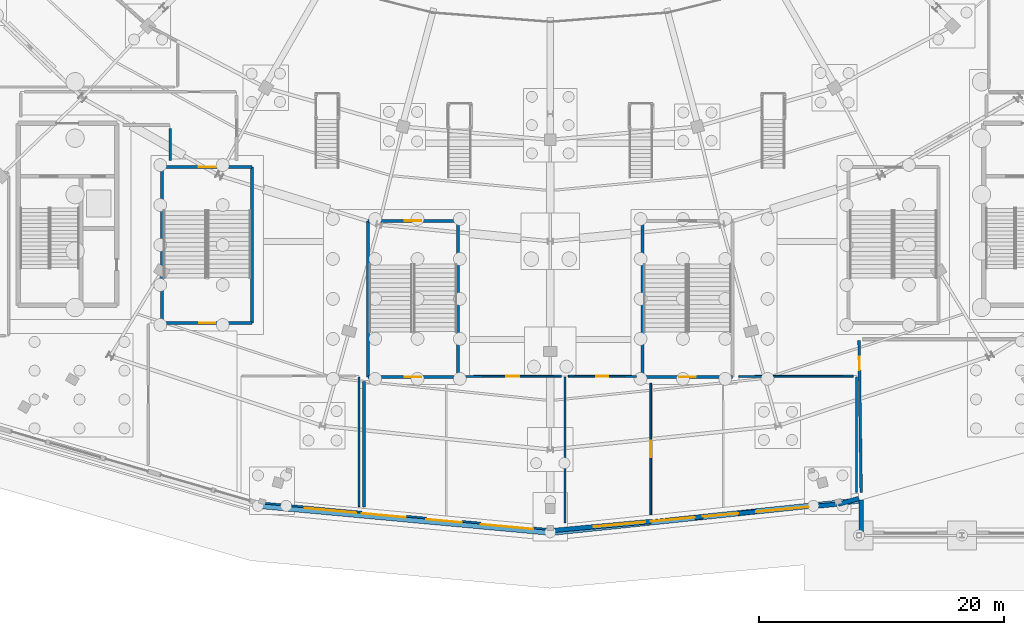
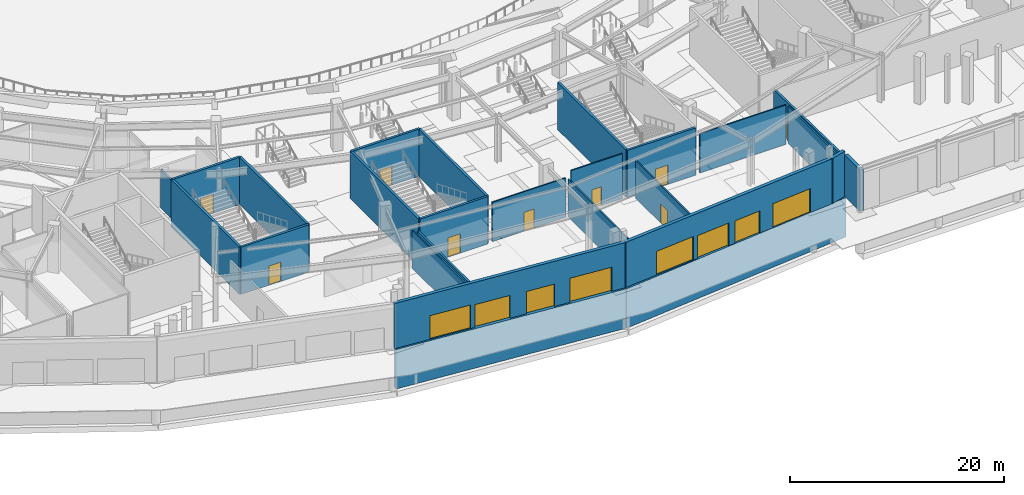
# One storey, part 54 of 93: 26 walls, 17 doors, 17 openings.
"""IFC4 building model written with IfcOpenShell, lengths in metres."""

from ifc_helpers import new_model, si_unit, direction, frame, frame_2d, origin, place, context, subcontext, project, spatial, rectangle, extrude, material, layer, layer_set, type_object, element, fill, save


model = new_model("IFC4")

# Units and contexts
model_context = context("Model", 3, precision=1e-05, world=origin(), true_north=direction((0.0, 1.0)))
body_context = subcontext(model_context, "Body", "Model", "MODEL_VIEW")
ifc_project = project(units=[si_unit("LENGTHUNIT", "METRE"), si_unit("AREAUNIT", "SQUARE_METRE"), si_unit("VOLUMEUNIT", "CUBIC_METRE"), si_unit("PLANEANGLEUNIT", "RADIAN"), si_unit("MASSUNIT", "GRAM", prefix="KILO")], contexts=[model_context])

# Site, building, storey
site_placement = place(None, origin())
site = spatial("IfcSite", under=ifc_project, at=site_placement, CompositionType="ELEMENT")
building_placement = place(site_placement, origin())
building = spatial("IfcBuilding", under=site, at=building_placement, Name="Kalgoora Escarpment Arena", CompositionType="ELEMENT")
storey_placement = place(building_placement, origin())
storey = spatial("IfcBuildingStorey", under=building, at=storey_placement, Name="L00", CompositionType="ELEMENT", Elevation=0.0)

# Walls
ifc_material_1 = material(Name="Cream limestone-faced precast concrete 40 MPa", Category="masonry")
ifc_layer_1 = layer(ifc_material_1, 0.360107421875)
ifc_layer_set_1 = layer_set([ifc_layer_1], Name="WAL-EXT-360")
wall_type_1 = type_object("IfcWallType", Name="WAL-EXT-360", PredefinedType="SOLIDWALL", material=ifc_layer_set_1)
wall_1_placement = place(storey_placement, frame((117.780029296875, -0.043212890625, 0.0), z_axis=(0.0, 0.0, 1.0), x_axis=(0.0, 1.0, 0.0)))
element("IfcWall", 1, at=wall_1_placement, inside=storey, type_object=wall_type_1, Name="L00 limestone-faced external wall 003", PredefinedType="SOLIDWALL", context=body_context, shape_type="SweptSolid", body=[
    extrude(rectangle(XDim=2.922607421875, YDim=0.360107421875, at=frame_2d((1.46142578125, 0.0))), origin(), (0.0, 0.0, 1.0), 4.718994140625),
])
wall_2_placement = place(storey_placement, frame((117.59130859375, 3.021240234375, 0.0), z_axis=(0.0, 0.0, 1.0), x_axis=(-0.960505332248, -0.278261579674, 0.0)))
element("IfcWall", 2, at=wall_2_placement, inside=storey, type_object=wall_type_1, Name="L00 limestone-faced external wall 004", PredefinedType="SOLIDWALL", context=body_context, shape_type="SweptSolid", body=[
    extrude(rectangle(XDim=1.747802734375, YDim=0.360107421875, at=frame_2d((0.8740234375, 0.0))), origin(), (0.0, 0.0, 1.0), 5.14990234375),
])

# Wall, openings, doors
wall_3_placement = place(storey_placement, frame((116.03076171875, 2.55712890625, 0.0), z_axis=(0.0, 0.0, 1.0), x_axis=(-0.995785515714, -0.09171263105, 0.0)))
wall_3 = element("IfcWall", 3, at=wall_3_placement, inside=storey, type_object=wall_type_1, Name="L00 limestone-faced external wall 005", PredefinedType="SOLIDWALL", context=body_context, shape_type="SweptSolid", body=[
    extrude(rectangle(XDim=23.79052734375, YDim=0.360107421875, at=frame_2d((11.895263671875, 0.0))), origin(), (0.0, 0.0, 1.0), 5.14990234375),
])
opening_1_placement = place(wall_3_placement, frame((8.31005859375, 0.0, 0.0)))
opening_1 = element("IfcOpeningElement", 4, at=opening_1_placement, cuts=wall_3, Name="Opening G10", PredefinedType="OPENING", context=body_context, shape_type="SweptSolid", body=[
    extrude(rectangle(XDim=2.89990234375, YDim=2.550048828125, at=frame_2d((1.449951171875, 1.27490234375))), frame((0.0, 0.18994140625, 0.0), z_axis=(0.0, -1.0, 0.0), x_axis=(1.0, 0.0, 0.0)), (0.0, 0.0, 1.0), 0.380126953125),
])
opening_2_placement = place(wall_3_placement, frame((11.89501953125, 0.0, 0.0)))
opening_2 = element("IfcOpeningElement", 5, at=opening_2_placement, cuts=wall_3, Name="Opening E3", PredefinedType="OPENING", context=body_context, shape_type="SweptSolid", body=[
    extrude(rectangle(XDim=3.60009765625, YDim=2.60009765625, at=frame_2d((1.800048828125, 1.300048828125))), frame((0.0, 0.18994140625, 0.0), z_axis=(0.0, -1.0, 0.0), x_axis=(1.0, 0.0, 0.0)), (0.0, 0.0, 1.0), 0.380126953125),
])
opening_3_placement = place(wall_3_placement, frame((2.5400390625, 0.0, 0.0)))
opening_3 = element("IfcOpeningElement", 6, at=opening_3_placement, cuts=wall_3, Name="Opening G18", PredefinedType="OPENING", context=body_context, shape_type="SweptSolid", body=[
    extrude(rectangle(XDim=4.300048828125, YDim=2.75, at=frame_2d((2.14990234375, 1.375))), frame((0.0, 0.18994140625, 0.0), z_axis=(0.0, -1.0, 0.0), x_axis=(1.0, 0.0, 0.0)), (0.0, 0.0, 1.0), 0.380126953125),
])
opening_4_placement = place(wall_3_placement, frame((15.9599609375, 0.0, 0.0)))
opening_4 = element("IfcOpeningElement", 7, at=opening_4_placement, cuts=wall_3, Name="Opening G19", PredefinedType="OPENING", context=body_context, shape_type="SweptSolid", body=[
    extrude(rectangle(XDim=4.199951171875, YDim=2.699951171875, at=frame_2d((2.10009765625, 1.35009765625))), frame((0.0, 0.18994140625, 0.0), z_axis=(0.0, -1.0, 0.0), x_axis=(1.0, 0.0, 0.0)), (0.0, 0.0, 1.0), 0.380126953125),
])
ifc_material_2 = material(Name="Champagne anodised aluminium acoustic egress leaf", Category="aluminium")
door_type_1 = type_object("IfcDoorType", Name="DR-EGEXIT-2750", OperationType="NOTDEFINED", PredefinedType="DOOR", material=ifc_material_2)
door_1_placement = place(opening_4_placement, origin())
door_1 = element("IfcDoor", 8, at=door_1_placement, inside=storey, type_object=door_type_1, Name="Final pedestrian exit door G19", OperationType="DOUBLE_DOOR_SINGLE_SWING", OverallHeight=2.699951171875, OverallWidth=4.199951171875, PredefinedType="DOOR", context=body_context, shape_type="SweptSolid", body=[
    extrude(rectangle(XDim=4.199951171875, YDim=2.699951171875, at=frame_2d((2.10009765625, 1.35009765625))), frame((0.0, 0.02490234375, 0.0), z_axis=(0.0, -1.0, 0.0), x_axis=(1.0, 0.0, 0.0)), (0.0, 0.0, 1.0), 0.050048828125),
])
fill(opening_4, door_1)
ifc_material_3 = material(Name="Champagne anodised aluminium acoustic egress leaf", Category="aluminium")
door_type_2 = type_object("IfcDoorType", Name="DR-EGEXIT-2800", OperationType="NOTDEFINED", PredefinedType="DOOR", material=ifc_material_3)
door_2_placement = place(opening_3_placement, origin())
door_2 = element("IfcDoor", 9, at=door_2_placement, inside=storey, type_object=door_type_2, Name="Final pedestrian exit door G18", OperationType="DOUBLE_DOOR_SINGLE_SWING", OverallHeight=2.75, OverallWidth=4.300048828125, PredefinedType="DOOR", context=body_context, shape_type="SweptSolid", body=[
    extrude(rectangle(XDim=4.300048828125, YDim=2.75, at=frame_2d((2.14990234375, 1.375))), frame((0.0, 0.02490234375, 0.0), z_axis=(0.0, -1.0, 0.0), x_axis=(1.0, 0.0, 0.0)), (0.0, 0.0, 1.0), 0.050048828125),
])
fill(opening_3, door_2)
ifc_material_4 = material(Name="Champagne anodised aluminium & toughened glass", Category="aluminium")
door_type_3 = type_object("IfcDoorType", Name="DR-MAIN-3600", OperationType="NOTDEFINED", PredefinedType="DOOR", material=ifc_material_4)
door_3_placement = place(opening_2_placement, origin())
door_3 = element("IfcDoor", 10, at=door_3_placement, inside=storey, type_object=door_type_3, Name="Main entrance E3", OperationType="DOUBLE_DOOR_SINGLE_SWING", OverallHeight=2.60009765625, OverallWidth=3.60009765625, PredefinedType="DOOR", context=body_context, shape_type="SweptSolid", body=[
    extrude(rectangle(XDim=3.60009765625, YDim=2.60009765625, at=frame_2d((1.800048828125, 1.300048828125))), frame((0.0, 0.02490234375, 0.0), z_axis=(0.0, -1.0, 0.0), x_axis=(1.0, 0.0, 0.0)), (0.0, 0.0, 1.0), 0.050048828125),
])
fill(opening_2, door_3)
ifc_material_5 = material(Name="Champagne anodised aluminium pedestrian egress gate leaf", Category="aluminium")
door_type_4 = type_object("IfcDoorType", Name="DR-PEDGATE-2900", OperationType="NOTDEFINED", PredefinedType="DOOR", material=ifc_material_5)
door_4_placement = place(opening_1_placement, origin())
door_4 = element("IfcDoor", 11, at=door_4_placement, inside=storey, type_object=door_type_4, Name="Final pedestrian exit door G10", OperationType="DOUBLE_DOOR_SINGLE_SWING", OverallHeight=2.550048828125, OverallWidth=2.89990234375, PredefinedType="DOOR", context=body_context, shape_type="SweptSolid", body=[
    extrude(rectangle(XDim=2.89990234375, YDim=2.550048828125, at=frame_2d((1.449951171875, 1.27490234375))), frame((0.0, 0.02490234375, 0.0), z_axis=(0.0, -1.0, 0.0), x_axis=(1.0, 0.0, 0.0)), (0.0, 0.0, 1.0), 0.050048828125),
])
fill(opening_1, door_4)

wall_4_placement = place(storey_placement, frame((92.45947265625, 0.375244140625, 0.0), z_axis=(0.0, 0.0, 1.0), x_axis=(-0.995785515714, 0.09171263105, 0.0)))
wall_4 = element("IfcWall", 12, at=wall_4_placement, inside=storey, type_object=wall_type_1, Name="L00 limestone-faced external wall 006", PredefinedType="SOLIDWALL", context=body_context, shape_type="SweptSolid", body=[
    extrude(rectangle(XDim=23.79052734375, YDim=0.360107421875, at=frame_2d((11.895263671875, 0.0))), origin(), (0.0, 0.0, 1.0), 5.14990234375),
])
opening_5_placement = place(wall_4_placement, frame((7.31005859375, 0.0, 0.0)))
opening_5 = element("IfcOpeningElement", 13, at=opening_5_placement, cuts=wall_4, Name="Opening G09", PredefinedType="OPENING", context=body_context, shape_type="SweptSolid", body=[
    extrude(rectangle(XDim=2.89990234375, YDim=2.550048828125, at=frame_2d((1.449951171875, 1.27490234375))), frame((0.0, 0.18994140625, 0.0), z_axis=(0.0, -1.0, 0.0), x_axis=(1.0, 0.0, 0.0)), (0.0, 0.0, 1.0), 0.380126953125),
])
opening_6_placement = place(wall_4_placement, frame((11.89501953125, 0.0, 0.0)))
opening_6 = element("IfcOpeningElement", 14, at=opening_6_placement, cuts=wall_4, Name="Opening E1", PredefinedType="OPENING", context=body_context, shape_type="SweptSolid", body=[
    extrude(rectangle(XDim=3.60009765625, YDim=2.60009765625, at=frame_2d((1.800048828125, 1.300048828125))), frame((0.0, 0.18994140625, 0.0), z_axis=(0.0, -1.0, 0.0), x_axis=(1.0, 0.0, 0.0)), (0.0, 0.0, 1.0), 0.380126953125),
])
opening_7_placement = place(wall_4_placement, frame((1.43994140625, 0.0, 0.0)))
opening_7 = element("IfcOpeningElement", 15, at=opening_7_placement, cuts=wall_4, Name="Opening G14", PredefinedType="OPENING", context=body_context, shape_type="SweptSolid", body=[
    extrude(rectangle(XDim=4.300048828125, YDim=2.75, at=frame_2d((2.14990234375, 1.375))), frame((0.0, 0.18994140625, 0.0), z_axis=(0.0, -1.0, 0.0), x_axis=(1.0, 0.0, 0.0)), (0.0, 0.0, 1.0), 0.380126953125),
])
opening_8_placement = place(wall_4_placement, frame((15.9599609375, 0.0, 0.0)))
opening_8 = element("IfcOpeningElement", 16, at=opening_8_placement, cuts=wall_4, Name="Opening G15", PredefinedType="OPENING", context=body_context, shape_type="SweptSolid", body=[
    extrude(rectangle(XDim=4.199951171875, YDim=2.699951171875, at=frame_2d((2.10009765625, 1.35009765625))), frame((0.0, 0.18994140625, 0.0), z_axis=(0.0, -1.0, 0.0), x_axis=(1.0, 0.0, 0.0)), (0.0, 0.0, 1.0), 0.380126953125),
])
door_5_placement = place(opening_8_placement, origin())
door_5 = element("IfcDoor", 17, at=door_5_placement, inside=storey, type_object=door_type_1, Name="Final pedestrian exit door G15", OperationType="DOUBLE_DOOR_SINGLE_SWING", OverallHeight=2.699951171875, OverallWidth=4.199951171875, PredefinedType="DOOR", context=body_context, shape_type="SweptSolid", body=[
    extrude(rectangle(XDim=4.199951171875, YDim=2.699951171875, at=frame_2d((2.10009765625, 1.35009765625))), frame((0.0, 0.02490234375, 0.0), z_axis=(0.0, -1.0, 0.0), x_axis=(1.0, 0.0, 0.0)), (0.0, 0.0, 1.0), 0.050048828125),
])
fill(opening_8, door_5)
door_6_placement = place(opening_7_placement, origin())
door_6 = element("IfcDoor", 18, at=door_6_placement, inside=storey, type_object=door_type_2, Name="Final pedestrian exit door G14", OperationType="DOUBLE_DOOR_SINGLE_SWING", OverallHeight=2.75, OverallWidth=4.300048828125, PredefinedType="DOOR", context=body_context, shape_type="SweptSolid", body=[
    extrude(rectangle(XDim=4.300048828125, YDim=2.75, at=frame_2d((2.14990234375, 1.375))), frame((0.0, 0.02490234375, 0.0), z_axis=(0.0, -1.0, 0.0), x_axis=(1.0, 0.0, 0.0)), (0.0, 0.0, 1.0), 0.050048828125),
])
fill(opening_7, door_6)
door_7_placement = place(opening_6_placement, origin())
door_7 = element("IfcDoor", 19, at=door_7_placement, inside=storey, type_object=door_type_3, Name="Main entrance E1", OperationType="DOUBLE_DOOR_SINGLE_SWING", OverallHeight=2.60009765625, OverallWidth=3.60009765625, PredefinedType="DOOR", context=body_context, shape_type="SweptSolid", body=[
    extrude(rectangle(XDim=3.60009765625, YDim=2.60009765625, at=frame_2d((1.800048828125, 1.300048828125))), frame((0.0, 0.02490234375, 0.0), z_axis=(0.0, -1.0, 0.0), x_axis=(1.0, 0.0, 0.0)), (0.0, 0.0, 1.0), 0.050048828125),
])
fill(opening_6, door_7)
door_8_placement = place(opening_5_placement, origin())
door_8 = element("IfcDoor", 20, at=door_8_placement, inside=storey, type_object=door_type_4, Name="Final pedestrian exit door G09", OperationType="DOUBLE_DOOR_SINGLE_SWING", OverallHeight=2.550048828125, OverallWidth=2.89990234375, PredefinedType="DOOR", context=body_context, shape_type="SweptSolid", body=[
    extrude(rectangle(XDim=2.89990234375, YDim=2.550048828125, at=frame_2d((1.449951171875, 1.27490234375))), frame((0.0, 0.02490234375, 0.0), z_axis=(0.0, -1.0, 0.0), x_axis=(1.0, 0.0, 0.0)), (0.0, 0.0, 1.0), 0.050048828125),
])
fill(opening_5, door_8)

# Wall, opening, door
ifc_material_6 = material(Name="Autoclaved aerated blockwork Concrete N40 (fc' 40 MPa)", Category="masonry")
ifc_layer_2 = layer(ifc_material_6, 0.219970703125)
ifc_layer_set_2 = layer_set([ifc_layer_2], Name="WAL-FIRE-220")
wall_type_2 = type_object("IfcWallType", Name="WAL-FIRE-220", PredefinedType="SOLIDWALL", material=ifc_layer_set_2)
wall_5_placement = place(storey_placement, frame((117.77490234375, 3.51123046875, 0.0), z_axis=(0.0, 0.0, 1.0), x_axis=(-0.014007203965, 0.999901894306, 0.0)))
wall_5 = element("IfcWall", 21, at=wall_5_placement, inside=storey, type_object=wall_type_2, Name="L00 Loading Dock partition wall", PredefinedType="SOLIDWALL", context=body_context, shape_type="SweptSolid", body=[
    extrude(rectangle(XDim=12.409912109375, YDim=0.219970703125, at=frame_2d((6.205078125, 0.0))), origin(), (0.0, 0.0, 1.0), 4.294921875),
])
opening_9_placement = place(wall_5_placement, frame((9.970458984375, 0.0, 0.0)))
opening_9 = element("IfcOpeningElement", 22, at=opening_9_placement, cuts=wall_5, Name="Opening FD-I021", PredefinedType="OPENING", context=body_context, shape_type="SweptSolid", body=[
    extrude(rectangle(XDim=1.080078125, YDim=2.14990234375, at=frame_2d((0.5400390625, 1.074951171875))), frame((0.0, 0.119873046875, 0.0), z_axis=(0.0, -1.0, 0.0), x_axis=(1.0, 0.0, 0.0)), (0.0, 0.0, 1.0), 0.239990234375),
])
ifc_material_7 = material(Name="Solid-core acoustic timber door", Category="wood")
door_type_5 = type_object("IfcDoorType", Name="DR-GEN-1080", OperationType="NOTDEFINED", PredefinedType="DOOR", material=ifc_material_7)
door_9_placement = place(opening_9_placement, origin())
door_9 = element("IfcDoor", 23, at=door_9_placement, inside=storey, type_object=door_type_5, Name="Doping Control Testing Suite entrance door", OperationType="SINGLE_SWING_RIGHT", OverallHeight=2.14990234375, OverallWidth=1.080078125, PredefinedType="DOOR", context=body_context, shape_type="SweptSolid", body=[
    extrude(rectangle(XDim=1.080078125, YDim=2.14990234375, at=frame_2d((0.5400390625, 1.074951171875))), frame((0.0, 0.02490234375, 0.0), z_axis=(0.0, -1.0, 0.0), x_axis=(1.0, 0.0, 0.0)), (0.0, 0.0, 1.0), 0.050048828125),
])
fill(opening_9, door_9)

# Walls
wall_6_placement = place(storey_placement, frame((61.39990234375, 30.574951171875, 0.0), z_axis=(0.0, 0.0, 1.0), x_axis=(0.0, 1.0, 0.0)))
element("IfcWall", 24, at=wall_6_placement, inside=storey, type_object=wall_type_2, Name="L00 South-West Protected Exit Passageway 2 partition wall", PredefinedType="SOLIDWALL", context=body_context, shape_type="SweptSolid", body=[
    extrude(rectangle(XDim=2.64013671875, YDim=0.219970703125, at=frame_2d((1.320068359375, 0.0))), origin(), (0.0, 0.0, 1.0), 4.31494140625),
])
wall_7_placement = place(storey_placement, frame((77.199951171875, 2.3125, 0.0), z_axis=(0.0, 0.0, 1.0), x_axis=(0.0, 1.0, 0.0)))
element("IfcWall", 25, at=wall_7_placement, inside=storey, type_object=wall_type_2, Name="L00 South-Central Protected Exit Passageway partition wall", PredefinedType="SOLIDWALL", context=body_context, shape_type="SweptSolid", body=[
    extrude(rectangle(XDim=10.2666015625, YDim=0.219970703125, at=frame_2d((5.13330078125, 0.0))), origin(), (0.0, 0.0, 1.0), 4.294921875),
])
ifc_material_8 = material(Name="Concrete N40 (fc' 40 MPa)", Category="concrete")
ifc_layer_3 = layer(ifc_material_8, 0.39501953125)
ifc_layer_set_3 = layer_set([ifc_layer_3], Name="WAL-RET-395")
wall_type_3 = type_object("IfcWallType", Name="WAL-RET-395", PredefinedType="USERDEFINED", material=ifc_layer_set_3)
wall_8_placement = place(storey_placement, frame((92.39990234375, 0.199951171875, -4.5), z_axis=(0.0, 0.0, 1.0), x_axis=(-0.995786061743, 0.091706702251, 0.0)))
element("IfcWall", 26, at=wall_8_placement, inside=storey, type_object=wall_type_3, Name="Escarpment stepped limestone plinth retaining wall 04", ObjectType="RETAININGWALL", PredefinedType="USERDEFINED", context=body_context, shape_type="SweptSolid", body=[
    extrude(rectangle(XDim=23.7041015625, YDim=0.39501953125, at=frame_2d((11.85205078125, 0.0))), origin(), (0.0, 0.0, 1.0), 4.5),
])
ifc_material_9 = material(Name="Concrete N40 (fc' 40 MPa)", Category="concrete")
ifc_layer_4 = layer(ifc_material_9, 0.43994140625)
ifc_layer_set_4 = layer_set([ifc_layer_4], Name="WAL-RET-440")
wall_type_4 = type_object("IfcWallType", Name="WAL-RET-440", PredefinedType="USERDEFINED", material=ifc_layer_set_4)
wall_9_placement = place(storey_placement, frame((117.60009765625, 2.836181640625, -4.5), z_axis=(0.0, 0.0, 1.0), x_axis=(-0.994572720995, -0.104043753549, 0.0)))
element("IfcWall", 27, at=wall_9_placement, inside=storey, type_object=wall_type_4, Name="Escarpment stepped limestone plinth retaining wall 03", ObjectType="RETAININGWALL", PredefinedType="USERDEFINED", context=body_context, shape_type="SweptSolid", body=[
    extrude(rectangle(XDim=25.337646484375, YDim=0.43994140625, at=frame_2d((12.6689453125, 0.0))), origin(), (0.0, 0.0, 1.0), 4.5),
])
ifc_material_10 = material(Name="Insulated steel-stud acoustic partition", Category="steel")
ifc_layer_5 = layer(ifc_material_10, 0.14501953125)
ifc_layer_set_5 = layer_set([ifc_layer_5], Name="WAL-ROOM-145")
wall_type_5 = type_object("IfcWallType", Name="WAL-ROOM-145", PredefinedType="PARTITIONING", material=ifc_layer_set_5)
wall_10_placement = place(storey_placement, frame((76.800048828125, 12.919921875, 0.0), z_axis=(0.0, 0.0, 1.0), x_axis=(0.0, -1.0, 0.0)))
element("IfcWall", 28, at=wall_10_placement, inside=storey, type_object=wall_type_5, Name="L00 Medical Room partition wall", PredefinedType="PARTITIONING", context=body_context, shape_type="SweptSolid", body=[
    extrude(rectangle(XDim=10.570556640625, YDim=0.14501953125, at=frame_2d((5.28515625, 0.0))), origin(), (0.0, 0.0, 1.0), 4.294921875),
])
wall_11_placement = place(storey_placement, frame((93.60009765625, 12.919921875, 0.0), z_axis=(0.0, 0.0, 1.0), x_axis=(0.0, -1.0, 0.0)))
element("IfcWall", 29, at=wall_11_placement, inside=storey, type_object=wall_type_5, Name="L00 First Aid Trauma Suite partition wall", PredefinedType="PARTITIONING", context=body_context, shape_type="SweptSolid", body=[
    extrude(rectangle(XDim=11.896728515625, YDim=0.14501953125, at=frame_2d((5.9482421875, 0.0))), origin(), (0.0, 0.0, 1.0), 4.294921875),
])

# Wall, opening, door
wall_12_placement = place(storey_placement, frame((85.375, 12.974365234375, 0.0), z_axis=(0.0, 0.0, 1.0), x_axis=(0.99999517769, 0.003105575086, 0.0)))
wall_12 = element("IfcWall", 30, at=wall_12_placement, inside=storey, type_object=wall_type_5, Name="L00 First Aid Trauma Suite partition wall", PredefinedType="PARTITIONING", context=body_context, shape_type="SweptSolid", body=[
    extrude(rectangle(XDim=7.93994140625, YDim=0.14501953125, at=frame_2d((3.969970703125, 0.0))), origin(), (0.0, 0.0, 1.0), 4.48291015625),
])
opening_10_placement = place(wall_12_placement, frame((3.429931640625, 0.0, 0.0)))
opening_10 = element("IfcOpeningElement", 31, at=opening_10_placement, cuts=wall_12, Name="Opening FD-I019", PredefinedType="OPENING", context=body_context, shape_type="SweptSolid", body=[
    extrude(rectangle(XDim=1.080078125, YDim=2.14990234375, at=frame_2d((0.5400390625, 1.074951171875))), frame((0.0, 0.08251953125, 0.0), z_axis=(0.0, -1.0, 0.0), x_axis=(1.0, 0.0, 0.0)), (0.0, 0.0, 1.0), 0.1650390625),
])
door_10_placement = place(opening_10_placement, origin())
door_10 = element("IfcDoor", 32, at=door_10_placement, inside=storey, type_object=door_type_5, Name="First Aid Trauma Suite entrance door", OperationType="SINGLE_SWING_RIGHT", OverallHeight=2.14990234375, OverallWidth=1.080078125, PredefinedType="DOOR", context=body_context, shape_type="SweptSolid", body=[
    extrude(rectangle(XDim=1.080078125, YDim=2.14990234375, at=frame_2d((0.5400390625, 1.074951171875))), frame((0.0, 0.02490234375, 0.0), z_axis=(0.0, -1.0, 0.0), x_axis=(1.0, 0.0, 0.0)), (0.0, 0.0, 1.0), 0.050048828125),
])
fill(opening_10, door_10)

wall_13_placement = place(storey_placement, frame((93.885009765625, 12.999267578125, 0.0), z_axis=(0.0, 0.0, 1.0), x_axis=(0.99999048325, -0.004362729501, 0.0)))
wall_13 = element("IfcWall", 33, at=wall_13_placement, inside=storey, type_object=wall_type_5, Name="L00 Doping Control Waiting partition wall", PredefinedType="PARTITIONING", context=body_context, shape_type="SweptSolid", body=[
    extrude(rectangle(XDim=5.5400390625, YDim=0.14501953125, at=frame_2d((2.77001953125, 0.0))), origin(), (0.0, 0.0, 1.0), 5.1201171875),
])
opening_11_placement = place(wall_13_placement, frame((2.280029296875, 0.0, 0.0)))
opening_11 = element("IfcOpeningElement", 34, at=opening_11_placement, cuts=wall_13, Name="Opening D-I020", PredefinedType="OPENING", context=body_context, shape_type="SweptSolid", body=[
    extrude(rectangle(XDim=0.97998046875, YDim=2.14990234375, at=frame_2d((0.489990234375, 1.074951171875))), frame((0.0, 0.08251953125, 0.0), z_axis=(0.0, -1.0, 0.0), x_axis=(1.0, 0.0, 0.0)), (0.0, 0.0, 1.0), 0.1650390625),
])
ifc_material_11 = material(Name="Solid-core acoustic timber door", Category="wood")
door_type_6 = type_object("IfcDoorType", Name="DR-GEN-0980", OperationType="NOTDEFINED", PredefinedType="DOOR", material=ifc_material_11)
door_11_placement = place(opening_11_placement, origin())
door_11 = element("IfcDoor", 35, at=door_11_placement, inside=storey, type_object=door_type_6, Name="Doping Control Waiting entrance door", OperationType="SINGLE_SWING_LEFT", OverallHeight=2.14990234375, OverallWidth=0.97998046875, PredefinedType="DOOR", context=body_context, shape_type="SweptSolid", body=[
    extrude(rectangle(XDim=0.97998046875, YDim=2.14990234375, at=frame_2d((0.489990234375, 1.074951171875))), frame((0.0, 0.02490234375, 0.0), z_axis=(0.0, -1.0, 0.0), x_axis=(1.0, 0.0, 0.0)), (0.0, 0.0, 1.0), 0.050048828125),
])
fill(opening_11, door_11)

wall_14_placement = place(storey_placement, frame((100.60009765625, 12.425048828125, 0.0), z_axis=(0.0, 0.0, 1.0), x_axis=(0.0, -1.0, 0.0)))
wall_14 = element("IfcWall", 36, at=wall_14_placement, inside=storey, type_object=wall_type_5, Name="L00 Doping Control Waiting partition wall", PredefinedType="PARTITIONING", context=body_context, shape_type="SweptSolid", body=[
    extrude(rectangle(XDim=10.757080078125, YDim=0.14501953125, at=frame_2d((5.37841796875, 0.0))), origin(), (0.0, 0.0, 1.0), 4.294921875),
])
opening_12_placement = place(wall_14_placement, frame((4.718505859375, 0.0, 0.0)))
opening_12 = element("IfcOpeningElement", 37, at=opening_12_placement, cuts=wall_14, Name="Opening FD-I042", PredefinedType="OPENING", context=body_context, shape_type="SweptSolid", body=[
    extrude(rectangle(XDim=1.320068359375, YDim=2.199951171875, at=frame_2d((0.66015625, 1.10009765625))), frame((0.0, 0.08251953125, 0.0), z_axis=(0.0, -1.0, 0.0), x_axis=(1.0, 0.0, 0.0)), (0.0, 0.0, 1.0), 0.1650390625),
])
ifc_material_12 = material(Name="Fire-rated steel stair leaf with vision panel", Category="steel")
door_type_7 = type_object("IfcDoorType", Name="DR-STAIR-1320", OperationType="NOTDEFINED", PredefinedType="DOOR", material=ifc_material_12)
door_12_placement = place(opening_12_placement, origin())
door_12 = element("IfcDoor", 38, at=door_12_placement, inside=storey, type_object=door_type_7, Name="South Protected Exit Passageway entrance door", OperationType="SINGLE_SWING_LEFT", OverallHeight=2.199951171875, OverallWidth=1.320068359375, PredefinedType="DOOR", context=body_context, shape_type="SweptSolid", body=[
    extrude(rectangle(XDim=1.320068359375, YDim=2.199951171875, at=frame_2d((0.66015625, 1.10009765625))), frame((0.0, 0.02490234375, 0.0), z_axis=(0.0, -1.0, 0.0), x_axis=(1.0, 0.0, 0.0)), (0.0, 0.0, 1.0), 0.050048828125),
])
fill(opening_12, door_12)

# Walls
wall_15_placement = place(storey_placement, frame((117.39990234375, 12.919921875, 0.0), z_axis=(0.0, 0.0, 1.0), x_axis=(0.0, -1.0, 0.0)))
element("IfcWall", 39, at=wall_15_placement, inside=storey, type_object=wall_type_5, Name="L00 Doping Control Testing Suite partition wall", PredefinedType="PARTITIONING", context=body_context, shape_type="SweptSolid", body=[
    extrude(rectangle(XDim=9.405517578125, YDim=0.14501953125, at=frame_2d((4.70263671875, 0.0))), origin(), (0.0, 0.0, 1.0), 4.294921875),
])
wall_16_placement = place(storey_placement, frame((107.77490234375, 12.97314453125, 0.0), z_axis=(0.0, 0.0, 1.0), x_axis=(0.999996088771, 0.002796862836, 0.0)))
element("IfcWall", 40, at=wall_16_placement, inside=storey, type_object=wall_type_5, Name="L00 Doping Control Testing Suite partition wall", PredefinedType="PARTITIONING", context=body_context, shape_type="SweptSolid", body=[
    extrude(rectangle(XDim=9.340087890625, YDim=0.14501953125, at=frame_2d((4.669921875, 0.0))), origin(), (0.0, 0.0, 1.0), 4.48291015625),
])

# Wall, opening, door
ifc_material_13 = material(Name="Concrete N50 (fc' 50 MPa)", Category="concrete")
ifc_layer_6 = layer(ifc_material_13, 0.25)
ifc_layer_set_6 = layer_set([ifc_layer_6], Name="WAL-STAIR-250")
wall_type_6 = type_object("IfcWallType", Name="WAL-STAIR-250", PredefinedType="SHEAR", material=ifc_layer_set_6)
wall_17_placement = place(storey_placement, frame((60.72509765625, 17.324951171875, 0.0), z_axis=(0.0, 0.0, 1.0), x_axis=(1.0, 0.0, 0.0)))
wall_17 = element("IfcWall", 41, at=wall_17_placement, inside=storey, type_object=wall_type_6, Name="Exit stair ST13 L00 south wall", PredefinedType="SHEAR", context=body_context, shape_type="SweptSolid", body=[
    extrude(rectangle(XDim=7.349853515625, YDim=0.25, at=frame_2d((3.6748046875, 0.0))), origin(), (0.0, 0.0, 1.0), 5.39990234375),
])
opening_13_placement = place(wall_17_placement, frame((3.014892578125, 0.0, 0.0)))
opening_13 = element("IfcOpeningElement", 42, at=opening_13_placement, cuts=wall_17, Name="Opening FD-ST13X", PredefinedType="OPENING", context=body_context, shape_type="SweptSolid", body=[
    extrude(rectangle(XDim=1.320068359375, YDim=2.199951171875, at=frame_2d((0.66015625, 1.10009765625))), frame((0.0, 0.135009765625, 0.0), z_axis=(0.0, -1.0, 0.0), x_axis=(1.0, 0.0, 0.0)), (0.0, 0.0, 1.0), 0.27001953125),
])
door_13_placement = place(opening_13_placement, origin())
door_13 = element("IfcDoor", 43, at=door_13_placement, inside=storey, type_object=door_type_7, Name="Fire-isolated stair ST13 L00 protected discharge door", OperationType="SINGLE_SWING_LEFT", OverallHeight=2.199951171875, OverallWidth=1.320068359375, PredefinedType="DOOR", context=body_context, shape_type="SweptSolid", body=[
    extrude(rectangle(XDim=1.320068359375, YDim=2.199951171875, at=frame_2d((0.66015625, 1.10009765625))), frame((0.0, 0.02490234375, 0.0), z_axis=(0.0, -1.0, 0.0), x_axis=(1.0, 0.0, 0.0)), (0.0, 0.0, 1.0), 0.050048828125),
])
fill(opening_13, door_13)

wall_18_placement = place(storey_placement, frame((60.72509765625, 30.074951171875, 0.0), z_axis=(0.0, 0.0, 1.0), x_axis=(1.0, 0.0, 0.0)))
wall_18 = element("IfcWall", 44, at=wall_18_placement, inside=storey, type_object=wall_type_6, Name="Exit stair ST13 L00 north wall", PredefinedType="SHEAR", context=body_context, shape_type="SweptSolid", body=[
    extrude(rectangle(XDim=7.349853515625, YDim=0.25, at=frame_2d((3.6748046875, 0.0))), origin(), (0.0, 0.0, 1.0), 5.39990234375),
])
opening_14_placement = place(wall_18_placement, frame((2.97509765625, 0.0, 0.0)))
opening_14 = element("IfcOpeningElement", 45, at=opening_14_placement, cuts=wall_18, Name="Opening FD-ST13", PredefinedType="OPENING", context=body_context, shape_type="SweptSolid", body=[
    extrude(rectangle(XDim=1.39990234375, YDim=2.199951171875, at=frame_2d((0.699951171875, 1.10009765625))), frame((0.0, 0.135009765625, 0.0), z_axis=(0.0, -1.0, 0.0), x_axis=(1.0, 0.0, 0.0)), (0.0, 0.0, 1.0), 0.27001953125),
])
ifc_material_14 = material(Name="Fire-rated steel stair leaf with vision panel", Category="steel")
door_type_8 = type_object("IfcDoorType", Name="DR-STAIR-1400", OperationType="NOTDEFINED", PredefinedType="DOOR", material=ifc_material_14)
door_14_placement = place(opening_14_placement, origin())
door_14 = element("IfcDoor", 46, at=door_14_placement, inside=storey, type_object=door_type_8, Name="Fire-isolated stair ST13 L00 egress door", OperationType="SINGLE_SWING_LEFT", OverallHeight=2.199951171875, OverallWidth=1.39990234375, PredefinedType="DOOR", context=body_context, shape_type="SweptSolid", body=[
    extrude(rectangle(XDim=1.39990234375, YDim=2.199951171875, at=frame_2d((0.699951171875, 1.10009765625))), frame((0.0, 0.02490234375, 0.0), z_axis=(0.0, -1.0, 0.0), x_axis=(1.0, 0.0, 0.0)), (0.0, 0.0, 1.0), 0.050048828125),
])
fill(opening_14, door_14)

# Walls
for number, where, z_axis, x_axis, name in (
    (47, (60.72509765625, 17.324951171875, 0.0), (0.0, 0.0, 1.0), (0.0, 1.0, 0.0), "Exit stair ST13 L00 west wall"),
    (48, (68.074951171875, 17.324951171875, 0.0), (0.0, 0.0, 1.0), (0.0, 1.0, 0.0), "Exit stair ST13 L00 east wall"),
):
    element("IfcWall", number, at=place(storey_placement, frame(where, z_axis=z_axis, x_axis=x_axis)), inside=storey, type_object=wall_type_6, Name=name, PredefinedType="SHEAR", context=body_context, shape_type="SweptSolid", body=[
        extrude(rectangle(XDim=12.75, YDim=0.25, at=frame_2d((6.375, 0.0))), origin(), (0.0, 0.0, 1.0), 5.39990234375),
    ])

# Wall, opening, door
wall_19_placement = place(storey_placement, frame((77.52490234375, 12.925048828125, 0.0), z_axis=(0.0, 0.0, 1.0), x_axis=(1.0, 0.0, 0.0)))
wall_19 = element("IfcWall", 49, at=wall_19_placement, inside=storey, type_object=wall_type_6, Name="Exit stair ST14 L00 south wall", PredefinedType="SHEAR", context=body_context, shape_type="SweptSolid", body=[
    extrude(rectangle(XDim=7.35009765625, YDim=0.25, at=frame_2d((3.675048828125, 0.0))), origin(), (0.0, 0.0, 1.0), 5.39990234375),
])
opening_15_placement = place(wall_19_placement, frame((3.014892578125, 0.0, 0.0)))
opening_15 = element("IfcOpeningElement", 50, at=opening_15_placement, cuts=wall_19, Name="Opening FD-ST14X", PredefinedType="OPENING", context=body_context, shape_type="SweptSolid", body=[
    extrude(rectangle(XDim=1.320068359375, YDim=2.199951171875, at=frame_2d((0.66015625, 1.10009765625))), frame((0.0, 0.135009765625, 0.0), z_axis=(0.0, -1.0, 0.0), x_axis=(1.0, 0.0, 0.0)), (0.0, 0.0, 1.0), 0.27001953125),
])
door_15_placement = place(opening_15_placement, origin())
door_15 = element("IfcDoor", 51, at=door_15_placement, inside=storey, type_object=door_type_7, Name="Fire-isolated stair ST14 L00 protected discharge door", OperationType="SINGLE_SWING_RIGHT", OverallHeight=2.199951171875, OverallWidth=1.320068359375, PredefinedType="DOOR", context=body_context, shape_type="SweptSolid", body=[
    extrude(rectangle(XDim=1.320068359375, YDim=2.199951171875, at=frame_2d((0.66015625, 1.10009765625))), frame((0.0, 0.02490234375, 0.0), z_axis=(0.0, -1.0, 0.0), x_axis=(1.0, 0.0, 0.0)), (0.0, 0.0, 1.0), 0.050048828125),
])
fill(opening_15, door_15)

wall_20_placement = place(storey_placement, frame((77.52490234375, 25.675048828125, 0.0), z_axis=(0.0, 0.0, 1.0), x_axis=(1.0, 0.0, 0.0)))
wall_20 = element("IfcWall", 52, at=wall_20_placement, inside=storey, type_object=wall_type_6, Name="Exit stair ST14 L00 north wall", PredefinedType="SHEAR", context=body_context, shape_type="SweptSolid", body=[
    extrude(rectangle(XDim=7.35009765625, YDim=0.25, at=frame_2d((3.675048828125, 0.0))), origin(), (0.0, 0.0, 1.0), 5.39990234375),
])
opening_16_placement = place(wall_20_placement, frame((3.014892578125, 0.0, 0.0)))
opening_16 = element("IfcOpeningElement", 53, at=opening_16_placement, cuts=wall_20, Name="Opening FD-ST14", PredefinedType="OPENING", context=body_context, shape_type="SweptSolid", body=[
    extrude(rectangle(XDim=1.320068359375, YDim=2.199951171875, at=frame_2d((0.66015625, 1.10009765625))), frame((0.0, 0.135009765625, 0.0), z_axis=(0.0, -1.0, 0.0), x_axis=(1.0, 0.0, 0.0)), (0.0, 0.0, 1.0), 0.27001953125),
])
door_16_placement = place(opening_16_placement, origin())
door_16 = element("IfcDoor", 54, at=door_16_placement, inside=storey, type_object=door_type_7, Name="Fire-isolated stair ST14 L00 egress door", OperationType="SINGLE_SWING_LEFT", OverallHeight=2.199951171875, OverallWidth=1.320068359375, PredefinedType="DOOR", context=body_context, shape_type="SweptSolid", body=[
    extrude(rectangle(XDim=1.320068359375, YDim=2.199951171875, at=frame_2d((0.66015625, 1.10009765625))), frame((0.0, 0.02490234375, 0.0), z_axis=(0.0, -1.0, 0.0), x_axis=(1.0, 0.0, 0.0)), (0.0, 0.0, 1.0), 0.050048828125),
])
fill(opening_16, door_16)

# Walls
for number, where, z_axis, x_axis, name in (
    (55, (77.52490234375, 12.925048828125, 0.0), (0.0, 0.0, 1.0), (0.0, 1.0, 0.0), "Exit stair ST14 L00 west wall"),
    (56, (84.875, 12.925048828125, 0.0), (0.0, 0.0, 1.0), (0.0, 1.0, 0.0), "Exit stair ST14 L00 east wall"),
):
    element("IfcWall", number, at=place(storey_placement, frame(where, z_axis=z_axis, x_axis=x_axis)), inside=storey, type_object=wall_type_6, Name=name, PredefinedType="SHEAR", context=body_context, shape_type="SweptSolid", body=[
        extrude(rectangle(XDim=12.75, YDim=0.25, at=frame_2d((6.375, 0.0))), origin(), (0.0, 0.0, 1.0), 5.39990234375),
    ])

# Wall, opening, door
wall_21_placement = place(storey_placement, frame((99.925048828125, 12.925048828125, 0.0), z_axis=(0.0, 0.0, 1.0), x_axis=(1.0, 0.0, 0.0)))
wall_21 = element("IfcWall", 57, at=wall_21_placement, inside=storey, type_object=wall_type_6, Name="Exit stair ST15 L00 south wall", PredefinedType="SHEAR", context=body_context, shape_type="SweptSolid", body=[
    extrude(rectangle(XDim=7.349853515625, YDim=0.25, at=frame_2d((3.6748046875, 0.0))), origin(), (0.0, 0.0, 1.0), 5.39990234375),
])
opening_17_placement = place(wall_21_placement, frame((3.014892578125, 0.0, 0.0)))
opening_17 = element("IfcOpeningElement", 58, at=opening_17_placement, cuts=wall_21, Name="Opening FD-ST15X", PredefinedType="OPENING", context=body_context, shape_type="SweptSolid", body=[
    extrude(rectangle(XDim=1.320068359375, YDim=2.199951171875, at=frame_2d((0.66015625, 1.10009765625))), frame((0.0, 0.135009765625, 0.0), z_axis=(0.0, -1.0, 0.0), x_axis=(1.0, 0.0, 0.0)), (0.0, 0.0, 1.0), 0.27001953125),
])
door_17_placement = place(opening_17_placement, origin())
door_17 = element("IfcDoor", 59, at=door_17_placement, inside=storey, type_object=door_type_7, Name="Fire-isolated stair ST15 L00 protected discharge door", OperationType="SINGLE_SWING_LEFT", OverallHeight=2.199951171875, OverallWidth=1.320068359375, PredefinedType="DOOR", context=body_context, shape_type="SweptSolid", body=[
    extrude(rectangle(XDim=1.320068359375, YDim=2.199951171875, at=frame_2d((0.66015625, 1.10009765625))), frame((0.0, 0.02490234375, 0.0), z_axis=(0.0, -1.0, 0.0), x_axis=(1.0, 0.0, 0.0)), (0.0, 0.0, 1.0), 0.050048828125),
])
fill(opening_17, door_17)

# Wall
wall_22_placement = place(storey_placement, frame((99.925048828125, 12.925048828125, 0.0), z_axis=(0.0, 0.0, 1.0), x_axis=(0.0, 1.0, 0.0)))
element("IfcWall", 60, at=wall_22_placement, inside=storey, type_object=wall_type_6, Name="Exit stair ST15 L00 west wall", PredefinedType="SHEAR", context=body_context, shape_type="SweptSolid", body=[
    extrude(rectangle(XDim=12.75, YDim=0.25, at=frame_2d((6.375, 0.0))), origin(), (0.0, 0.0, 1.0), 5.39990234375),
])

save(model, "model.ifc")
